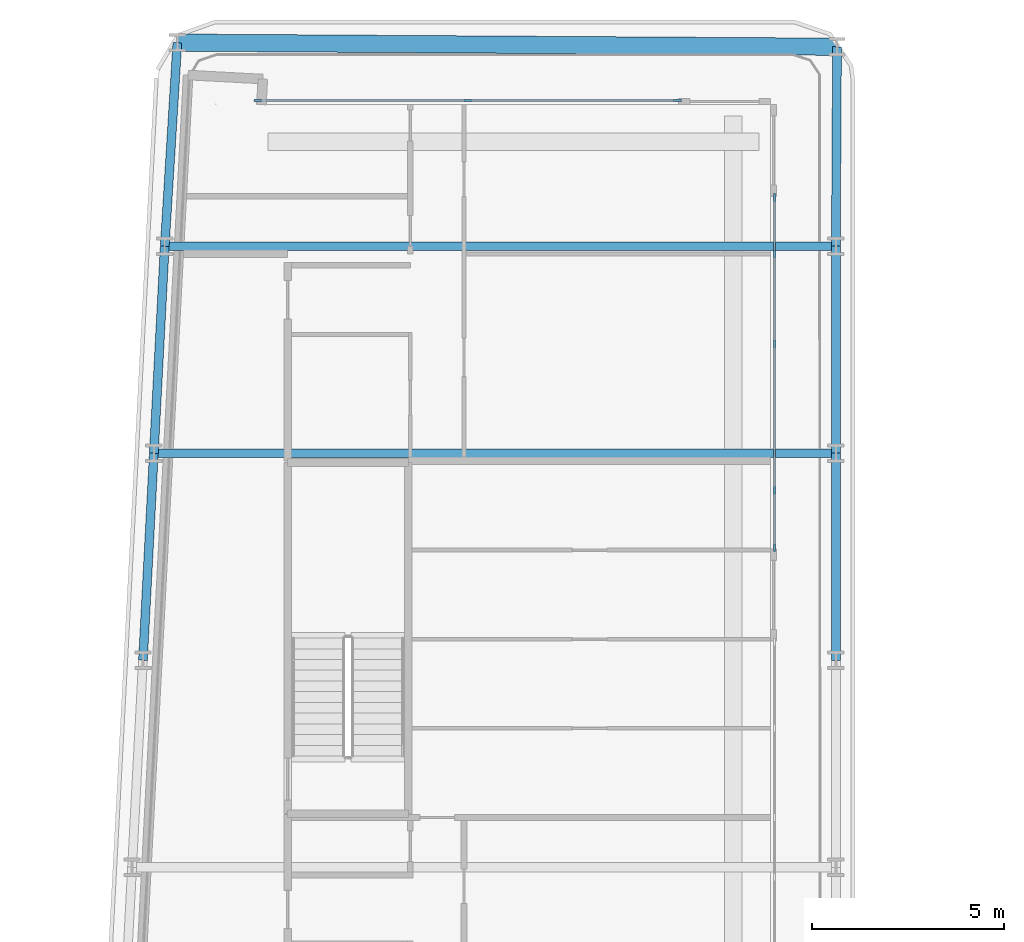
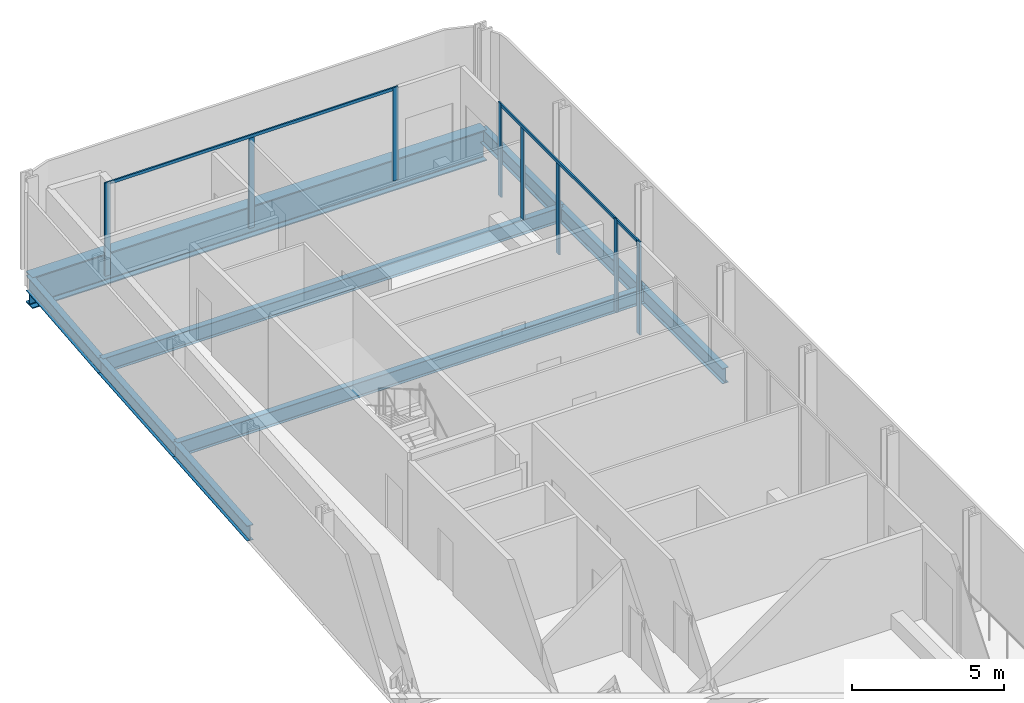
# One storey, part 9 of 27: 11 members, 9 beams, 3 elements without a shape of their own.
"""IFC4 building model written with IfcOpenShell, lengths in metres."""

from ifc_helpers import new_model, si_unit, direction, frame, origin, origin_2d, place, context, subcontext, project, spatial, rectangle, i_section, extrude, material, layer, layer_set, material_profile, profile_set, type_object, element, aggregate, save


model = new_model("IFC4")

# Units and contexts
model_context = context("Model", 3, precision=1e-05, world=origin(), true_north=direction((0.0, 1.0)))
body_context = subcontext(model_context, "Body", "Model", "MODEL_VIEW")
ifc_project = project(units=[si_unit("LENGTHUNIT", "METRE"), si_unit("AREAUNIT", "SQUARE_METRE"), si_unit("VOLUMEUNIT", "CUBIC_METRE"), si_unit("PLANEANGLEUNIT", "RADIAN"), si_unit("MASSUNIT", "GRAM", prefix="KILO")], contexts=[model_context])

# Site, building, storey
site_placement = place(None, origin())
site = spatial("IfcSite", under=ifc_project, at=site_placement, CompositionType="ELEMENT")
building_placement = place(site_placement, origin())
building = spatial("IfcBuilding", under=site, at=building_placement, Name="Kheshtan School and Residences Tower", CompositionType="ELEMENT")
storey_placement = place(building_placement, frame((0.0, 0.0, 53.89990234375)))
storey = spatial("IfcBuildingStorey", under=building, at=storey_placement, Name="L12", CompositionType="ELEMENT", Elevation=53.89990234375)

# Beams
ifc_material_1 = material(Name="Steel ASTM A992 Grade 50", Category="steel")
ifc_material_profile_1 = material_profile(ifc_material_1, i_section(OverallWidth=0.22802734375, OverallDepth=0.60302734375, WebThickness=0.010498046875, FlangeThickness=0.014892578125, FilletRadius=0.013427734375, at=origin_2d()), Name="W610x101")
ifc_profile_set_1 = profile_set([ifc_material_profile_1], Name="Steel ASTM A992 Grade 50")
beam_type_1 = type_object("IfcBeamType", Name="Beam FB5 W610x101 ASTM A992 Grade 50", PredefinedType="BEAM", material=ifc_profile_set_1)
beam_1_placement = place(storey_placement, frame((47.60009765625, 94.199951171875, -0.451416015625), z_axis=(-1.0, 0.0, 0.0), x_axis=(0.0, -1.0, 0.0)))
element("IfcBeam", 1, at=beam_1_placement, inside=storey, type_object=beam_type_1, Name="Floor beam C107", PredefinedType="BEAM", context=body_context, shape_type="SweptSolid", body=[
    extrude(i_section(OverallWidth=0.22802734375, OverallDepth=0.60302734375, WebThickness=0.010498046875, FlangeThickness=0.014892578125, FilletRadius=0.013427734375, at=origin_2d()), origin(), (0.0, 0.0, 1.0), 17.505126953125),
])
beam_2_placement = place(storey_placement, frame((29.81103515625, 88.800048828125, -0.451416015625), z_axis=(1.0, 0.0, 0.0), x_axis=(0.0, 1.0, 0.0)))
element("IfcBeam", 2, at=beam_2_placement, inside=storey, type_object=beam_type_1, Name="Floor beam C098", PredefinedType="BEAM", context=body_context, shape_type="SweptSolid", body=[
    extrude(i_section(OverallWidth=0.22802734375, OverallDepth=0.60302734375, WebThickness=0.010498046875, FlangeThickness=0.014892578125, FilletRadius=0.013427734375, at=origin_2d()), origin(), (0.0, 0.0, 1.0), 17.7890625),
])
ifc_material_profile_2 = material_profile(ifc_material_1, i_section(OverallWidth=0.22998046875, OverallDepth=0.616943359375, WebThickness=0.01318359375, FlangeThickness=0.022216796875, FilletRadius=0.0185546875, at=origin_2d()), Name="W610x140")
ifc_profile_set_2 = profile_set([ifc_material_profile_2], Name="Steel ASTM A992 Grade 50")
beam_type_2 = type_object("IfcBeamType", Name="Beam SP1 W610x140 ASTM A992 Grade 50", PredefinedType="BEAM", material=ifc_profile_set_2)
beam_3_placement = place(storey_placement, frame((47.6298828125, 99.402099609375, -0.45849609375), z_axis=(-0.005725455245, -0.999983609447, 0.0), x_axis=(0.999983609447, -0.005725455245, 0.0)))
element("IfcBeam", 3, at=beam_3_placement, inside=storey, type_object=beam_type_2, Name="Spandrel beam C113-C107", PredefinedType="BEAM", context=body_context, shape_type="SweptSolid", body=[
    extrude(i_section(OverallWidth=0.22998046875, OverallDepth=0.616943359375, WebThickness=0.01318359375, FlangeThickness=0.022216796875, FilletRadius=0.0185546875, at=origin_2d()), origin(), (0.0, 0.0, 1.0), 5.2021484375),
])
beam_4_placement = place(storey_placement, frame((47.60009765625, 94.199951171875, -0.45849609375), z_axis=(0.0, -1.0, 0.0), x_axis=(1.0, 0.0, 0.0)))
element("IfcBeam", 4, at=beam_4_placement, inside=storey, type_object=beam_type_2, Name="Spandrel beam C107-C099", PredefinedType="BEAM", context=body_context, shape_type="SweptSolid", body=[
    extrude(i_section(OverallWidth=0.22998046875, OverallDepth=0.616943359375, WebThickness=0.01318359375, FlangeThickness=0.022216796875, FilletRadius=0.0185546875, at=origin_2d()), origin(), (0.0, 0.0, 1.0), 5.39990234375),
])
beam_5_placement = place(storey_placement, frame((47.60009765625, 88.800048828125, -0.45849609375), z_axis=(0.0, -1.0, 0.0), x_axis=(1.0, 0.0, 0.0)))
element("IfcBeam", 5, at=beam_5_placement, inside=storey, type_object=beam_type_2, Name="Spandrel beam C099-C091", PredefinedType="BEAM", context=body_context, shape_type="SweptSolid", body=[
    extrude(i_section(OverallWidth=0.22998046875, OverallDepth=0.616943359375, WebThickness=0.01318359375, FlangeThickness=0.022216796875, FilletRadius=0.0185546875, at=origin_2d()), origin(), (0.0, 0.0, 1.0), 5.400146484375),
])
beam_6_placement = place(storey_placement, frame((29.527099609375, 83.39990234375, -0.45849609375), z_axis=(0.05250670125, 0.998620571751, 0.0), x_axis=(-0.998620571751, 0.05250670125, 0.0)))
element("IfcBeam", 6, at=beam_6_placement, inside=storey, type_object=beam_type_2, Name="Spandrel beam C090-C098", PredefinedType="BEAM", context=body_context, shape_type="SweptSolid", body=[
    extrude(i_section(OverallWidth=0.22998046875, OverallDepth=0.616943359375, WebThickness=0.01318359375, FlangeThickness=0.022216796875, FilletRadius=0.0185546875, at=origin_2d()), origin(), (0.0, 0.0, 1.0), 5.40771484375),
])
beam_7_placement = place(storey_placement, frame((29.81103515625, 88.800048828125, -0.45849609375), z_axis=(0.05250906864, 0.998620447272, 0.0), x_axis=(-0.998620447272, 0.05250906864, 0.0)))
element("IfcBeam", 7, at=beam_7_placement, inside=storey, type_object=beam_type_2, Name="Spandrel beam C098-C106", PredefinedType="BEAM", context=body_context, shape_type="SweptSolid", body=[
    extrude(i_section(OverallWidth=0.22998046875, OverallDepth=0.616943359375, WebThickness=0.01318359375, FlangeThickness=0.022216796875, FilletRadius=0.0185546875, at=origin_2d()), origin(), (0.0, 0.0, 1.0), 5.407470703125),
])
beam_8_placement = place(storey_placement, frame((30.094970703125, 94.199951171875, -0.45849609375), z_axis=(0.061858321816, 0.998084940284, 0.0), x_axis=(-0.998084940284, 0.061858321816, 0.0)))
element("IfcBeam", 8, at=beam_8_placement, inside=storey, type_object=beam_type_2, Name="Spandrel beam C106-C121", PredefinedType="BEAM", context=body_context, shape_type="SweptSolid", body=[
    extrude(i_section(OverallWidth=0.22998046875, OverallDepth=0.616943359375, WebThickness=0.01318359375, FlangeThickness=0.022216796875, FilletRadius=0.0185546875, at=origin_2d()), origin(), (0.0, 0.0, 1.0), 5.3203125),
])

# Curtain wall, members
ifc_material_2 = material(Name="Clear low-e glass in thermally broken aluminium frame", Category="aluminium")
ifc_layer = layer(ifc_material_2, 0.199951171875)
ifc_layer_set = layer_set([ifc_layer], Name="Curtain wall CW-L")
curtain_wall_type = type_object("IfcCurtainWallType", Name="Curtain wall CW-L", PredefinedType="NOTDEFINED", material=ifc_layer_set)
curtain_wall_1_placement = place(storey_placement, origin())
curtain_wall_1 = element("IfcCurtainWall", 9, at=curtain_wall_1_placement, inside=storey, type_object=curtain_wall_type, Name="Curtain wall CWL7", PredefinedType="NOTDEFINED")
ifc_material_3 = material(Name="Thermally broken aluminium, dark bronze anodised", Category="aluminium")
ifc_material_profile_3 = material_profile(ifc_material_3, rectangle(XDim=0.06005859375, YDim=0.199951171875, at=origin_2d()), Name="CW-L mullion 60x200")
ifc_profile_set_3 = profile_set([ifc_material_profile_3], Name="Thermally broken aluminium, dark bronze anodised")
member_type_1 = type_object("IfcMemberType", Name="CW-L mullion 60x200", PredefinedType="MULLION", material=ifc_profile_set_3)
member_1_placement = place(storey_placement, frame((32.52197265625, 98.0, 0.0), z_axis=(0.0, 0.0, 1.0), x_axis=(0.0, 1.0, 0.0)))
member_1 = element("IfcMember", 10, at=member_1_placement, type_object=member_type_1, Name="CWL7 mullion 1", PredefinedType="MULLION", context=body_context, shape_type="SweptSolid", body=[
    extrude(rectangle(XDim=0.06005859375, YDim=0.199951171875, at=origin_2d()), origin(), (0.0, 0.0, 1.0), 3.75),
])
member_2_placement = place(storey_placement, frame((37.99609375, 98.0, 0.0), z_axis=(0.0, 0.0, 1.0), x_axis=(0.0, 1.0, 0.0)))
member_2 = element("IfcMember", 11, at=member_2_placement, type_object=member_type_1, Name="CWL7 mullion 2", PredefinedType="MULLION", context=body_context, shape_type="SweptSolid", body=[
    extrude(rectangle(XDim=0.06005859375, YDim=0.199951171875, at=origin_2d()), origin(), (0.0, 0.0, 1.0), 3.630126953125),
])
member_3_placement = place(storey_placement, frame((43.469970703125, 98.0, 0.0), z_axis=(0.0, 0.0, 1.0), x_axis=(0.0, 1.0, 0.0)))
member_3 = element("IfcMember", 12, at=member_3_placement, type_object=member_type_1, Name="CWL7 mullion 3", PredefinedType="MULLION", context=body_context, shape_type="SweptSolid", body=[
    extrude(rectangle(XDim=0.06005859375, YDim=0.199951171875, at=origin_2d()), origin(), (0.0, 0.0, 1.0), 3.75),
])

curtain_wall_2_placement = place(storey_placement, origin())
curtain_wall_2 = element("IfcCurtainWall", 13, at=curtain_wall_2_placement, inside=storey, type_object=curtain_wall_type, Name="Curtain wall CWL8c", PredefinedType="NOTDEFINED")
member_4_placement = place(storey_placement, frame((46.0, 95.469970703125, 0.0), z_axis=(0.0, 0.0, 1.0), x_axis=(1.0, 0.0, 0.0)))
member_4 = element("IfcMember", 14, at=member_4_placement, type_object=member_type_1, Name="CWL8c mullion 1", PredefinedType="MULLION", context=body_context, shape_type="SweptSolid", body=[
    extrude(rectangle(XDim=0.06005859375, YDim=0.199951171875, at=origin_2d()), origin(), (0.0, 0.0, 1.0), 3.75),
])
member_5_placement = place(storey_placement, frame((46.0, 94.0, 0.0), z_axis=(0.0, 0.0, 1.0), x_axis=(1.0, 0.0, 0.0)))
member_5 = element("IfcMember", 15, at=member_5_placement, type_object=member_type_1, Name="CWL8c mullion 2", PredefinedType="MULLION", context=body_context, shape_type="SweptSolid", body=[
    extrude(rectangle(XDim=0.06005859375, YDim=0.199951171875, at=origin_2d()), origin(), (0.0, 0.0, 1.0), 3.630126953125),
])
member_6_placement = place(storey_placement, frame((46.0, 91.653076171875, 0.0), z_axis=(0.0, 0.0, 1.0), x_axis=(1.0, 0.0, 0.0)))
member_6 = element("IfcMember", 16, at=member_6_placement, type_object=member_type_1, Name="CWL8c mullion 3", PredefinedType="MULLION", context=body_context, shape_type="SweptSolid", body=[
    extrude(rectangle(XDim=0.06005859375, YDim=0.199951171875, at=origin_2d()), origin(), (0.0, 0.0, 1.0), 3.630126953125),
])
member_7_placement = place(storey_placement, frame((46.0, 87.8359375, 0.0), z_axis=(0.0, 0.0, 1.0), x_axis=(1.0, 0.0, 0.0)))
member_7 = element("IfcMember", 17, at=member_7_placement, type_object=member_type_1, Name="CWL8c mullion 4", PredefinedType="MULLION", context=body_context, shape_type="SweptSolid", body=[
    extrude(rectangle(XDim=0.06005859375, YDim=0.199951171875, at=origin_2d()), origin(), (0.0, 0.0, 1.0), 3.75),
])

# Curtain wall, member
curtain_wall_3_placement = place(storey_placement, origin())
curtain_wall_3 = element("IfcCurtainWall", 18, at=curtain_wall_3_placement, inside=storey, type_object=curtain_wall_type, Name="Curtain wall CWL8a", PredefinedType="NOTDEFINED")
member_8_placement = place(storey_placement, frame((46.0, 86.3359375, 0.0), z_axis=(0.0, 0.0, 1.0), x_axis=(1.0, 0.0, 0.0)))
member_8 = element("IfcMember", 19, at=member_8_placement, type_object=member_type_1, Name="CWL8a mullion 2", PredefinedType="MULLION", context=body_context, shape_type="SweptSolid", body=[
    extrude(rectangle(XDim=0.06005859375, YDim=0.199951171875, at=origin_2d()), origin(), (0.0, 0.0, 1.0), 3.75),
])

# Member
ifc_material_profile_4 = material_profile(ifc_material_3, rectangle(XDim=0.06005859375, YDim=0.1201171875, at=origin_2d()), Name="CW-L transom 60x120")
ifc_profile_set_4 = profile_set([ifc_material_profile_4], Name="Thermally broken aluminium, dark bronze anodised")
member_type_2 = type_object("IfcMemberType", Name="CW-L transom 60x120", PredefinedType="USERDEFINED", material=ifc_profile_set_4)
member_9_placement = place(storey_placement, frame((32.552001953125, 98.0, 3.690185546875), z_axis=(1.0, 0.0, 0.0), x_axis=(0.0, 1.0, 0.0)))
member_9 = element("IfcMember", 20, at=member_9_placement, type_object=member_type_2, Name="CWL7 transom 1", ObjectType="TRANSOM", PredefinedType="USERDEFINED", context=body_context, shape_type="SweptSolid", body=[
    extrude(rectangle(XDim=0.06005859375, YDim=0.1201171875, at=origin_2d()), origin(), (0.0, 0.0, 1.0), 10.887939453125),
])

aggregate(curtain_wall_1, [member_1, member_2, member_3, member_9])

member_10_placement = place(storey_placement, frame((46.0, 95.43994140625, 3.690185546875), z_axis=(0.0, -1.0, 0.0), x_axis=(1.0, 0.0, 0.0)))
member_10 = element("IfcMember", 21, at=member_10_placement, type_object=member_type_2, Name="CWL8c transom 1", ObjectType="TRANSOM", PredefinedType="USERDEFINED", context=body_context, shape_type="SweptSolid", body=[
    extrude(rectangle(XDim=0.06005859375, YDim=0.1201171875, at=origin_2d()), origin(), (0.0, 0.0, 1.0), 7.573974609375),
])

aggregate(curtain_wall_2, [member_4, member_5, member_6, member_7, member_10])

member_11_placement = place(storey_placement, frame((46.0, 87.805908203125, 3.690185546875), z_axis=(0.0, -1.0, 0.0), x_axis=(1.0, 0.0, 0.0)))
member_11 = element("IfcMember", 22, at=member_11_placement, type_object=member_type_2, Name="CWL8a transom 1", ObjectType="TRANSOM", PredefinedType="USERDEFINED", context=body_context, shape_type="SweptSolid", body=[
    extrude(rectangle(XDim=0.06005859375, YDim=0.1201171875, at=origin_2d()), origin(), (0.0, 0.0, 1.0), 1.43994140625),
])

aggregate(curtain_wall_3, [member_8, member_11])

# Beam
ifc_material_profile_5 = material_profile(ifc_material_1, i_section(OverallWidth=0.449951171875, OverallDepth=1.25, WebThickness=0.02490234375, FlangeThickness=0.044921875, FilletRadius=0.03759765625, at=origin_2d()), Name="WWF1250x546")
ifc_profile_set_5 = profile_set([ifc_material_profile_5], Name="Steel ASTM A992 Grade 50")
beam_type_3 = type_object("IfcBeamType", Name="Transfer girder TG4 WWF1250x546 ASTM A992 Grade 50", PredefinedType="BEAM", material=ifc_profile_set_5)
beam_9_placement = place(storey_placement, frame((30.424072265625, 99.510009765625, -0.77490234375), z_axis=(0.999980333297, -0.006271604219, 0.0), x_axis=(0.006271604219, 0.999980333297, 0.0)))
element("IfcBeam", 23, at=beam_9_placement, inside=storey, type_object=beam_type_3, Name="Transfer girder C121-C113", PredefinedType="BEAM", context=body_context, shape_type="SweptSolid", body=[
    extrude(i_section(OverallWidth=0.449951171875, OverallDepth=1.25, WebThickness=0.02490234375, FlangeThickness=0.044921875, FilletRadius=0.03759765625, at=origin_2d()), origin(), (0.0, 0.0, 1.0), 17.2060546875),
])

save(model, "model.ifc")
